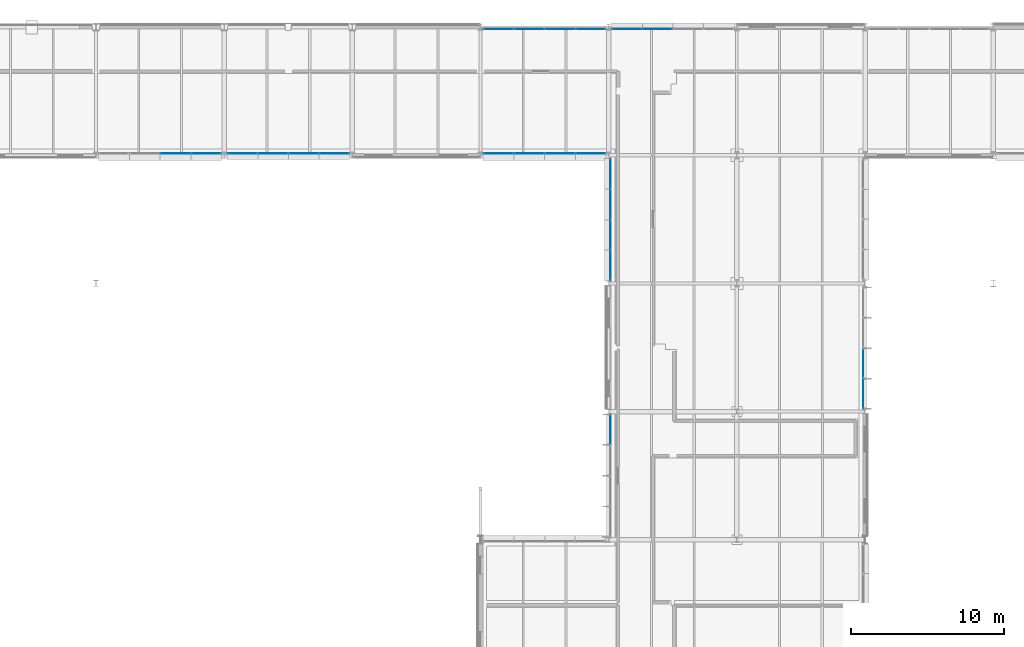
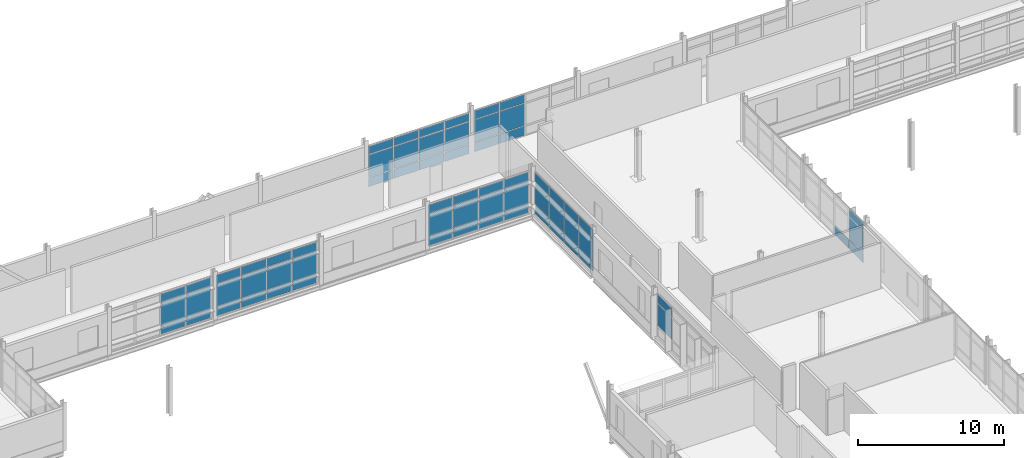
# One storey, part 77 of 103: 66 plates, 8 elements without a shape of their own.
"""IFC4 building model written with IfcOpenShell, lengths in metres."""

from ifc_helpers import new_model, si_unit, direction, frame, origin, origin_2d, place, context, subcontext, project, spatial, rectangle, extrude, material, layer, layer_set, type_object, element, aggregate, save


model = new_model("IFC4")

# Units and contexts
model_context = context("Model", 3, precision=1e-05, world=origin(), true_north=direction((0.0, 1.0)))
body_context = subcontext(model_context, "Body", "Model", "MODEL_VIEW")
ifc_project = project(units=[si_unit("LENGTHUNIT", "METRE"), si_unit("AREAUNIT", "SQUARE_METRE"), si_unit("VOLUMEUNIT", "CUBIC_METRE"), si_unit("PLANEANGLEUNIT", "RADIAN"), si_unit("MASSUNIT", "GRAM", prefix="KILO")], contexts=[model_context])

# Site, building, storey
site_placement = place(None, origin())
site = spatial("IfcSite", under=ifc_project, at=site_placement, CompositionType="ELEMENT")
building_placement = place(site_placement, origin())
building = spatial("IfcBuilding", under=site, at=building_placement, Name="Mersafa Astral City Hall", CompositionType="ELEMENT")
storey_placement = place(building_placement, frame((0.0, 0.0, 18.0)))
storey = spatial("IfcBuildingStorey", under=building, at=storey_placement, Name="L04", CompositionType="ELEMENT", Elevation=18.0)

# Curtain wall, plates
ifc_material_1 = material(Name="Anodised bronze aluminium framing", Category="aluminium")
curtain_wall_type_1 = type_object("IfcCurtainWallType", Name="ENV-CW-5", PredefinedType="USERDEFINED", material=ifc_material_1)
curtain_wall_1_placement = place(storey_placement, origin())
curtain_wall_1 = element("IfcCurtainWall", 1, at=curtain_wall_1_placement, inside=storey, type_object=curtain_wall_type_1, Name="L04 Unitised solar curtain wall 196", ObjectType="UNITISED CURTAIN WALL", PredefinedType="USERDEFINED")
ifc_material_2 = material(Name="Solar control low-e double glazing", Category="glass")
ifc_layer_1 = layer(ifc_material_2, 0.028076171875, Name="Solar control low-e double glazing")
ifc_layer_set_1 = layer_set([ifc_layer_1], Name="Solar control low-e double glazing — ENV-CW-PNL-GLZ-1")
plate_type_1 = type_object("IfcPlateType", Name="ENV-CW-PNL-GLZ-1", PredefinedType="CURTAIN_PANEL", material=ifc_layer_set_1)
plate_1_placement = place(storey_placement, frame((99.613525390625, 125.8798828125, 0.05810546875), z_axis=(0.0, 0.0, 1.0), x_axis=(-1.0, 0.0, 0.0)))
plate_1 = element("IfcPlate", 2, at=plate_1_placement, type_object=plate_type_1, Name="CW-5 panel 1.1", PredefinedType="CURTAIN_PANEL", context=body_context, shape_type="SweptSolid", body=[
    extrude(rectangle(XDim=1.928955078125, YDim=0.028076171875, at=origin_2d()), origin(), (0.0, 0.0, 1.0), 0.761962890625),
])
plate_2_placement = place(storey_placement, frame((99.613525390625, 125.8798828125, 0.8798828125), z_axis=(0.0, 0.0, 1.0), x_axis=(-1.0, 0.0, 0.0)))
plate_2 = element("IfcPlate", 3, at=plate_2_placement, type_object=plate_type_1, Name="CW-5 panel 1.2", PredefinedType="CURTAIN_PANEL", context=body_context, shape_type="SweptSolid", body=[
    extrude(rectangle(XDim=1.928955078125, YDim=0.028076171875, at=origin_2d()), origin(), (0.0, 0.0, 1.0), 1.840087890625),
])
plate_3_placement = place(storey_placement, frame((99.613525390625, 125.8798828125, 2.780029296875), z_axis=(0.0, 0.0, 1.0), x_axis=(-1.0, 0.0, 0.0)))
plate_3 = element("IfcPlate", 4, at=plate_3_placement, type_object=plate_type_1, Name="CW-5 panel 1.3", PredefinedType="CURTAIN_PANEL", context=body_context, shape_type="SweptSolid", body=[
    extrude(rectangle(XDim=1.928955078125, YDim=0.028076171875, at=origin_2d()), origin(), (0.0, 0.0, 1.0), 0.6669921875),
])
plate_4_placement = place(storey_placement, frame((97.609619140625, 125.8798828125, 0.05810546875), z_axis=(0.0, 0.0, 1.0), x_axis=(-1.0, 0.0, 0.0)))
plate_4 = element("IfcPlate", 5, at=plate_4_placement, type_object=plate_type_1, Name="CW-5 panel 2.1", PredefinedType="CURTAIN_PANEL", context=body_context, shape_type="SweptSolid", body=[
    extrude(rectangle(XDim=1.958984375, YDim=0.028076171875, at=origin_2d()), origin(), (0.0, 0.0, 1.0), 0.761962890625),
])
plate_5_placement = place(storey_placement, frame((97.609619140625, 125.8798828125, 0.8798828125), z_axis=(0.0, 0.0, 1.0), x_axis=(-1.0, 0.0, 0.0)))
plate_5 = element("IfcPlate", 6, at=plate_5_placement, type_object=plate_type_1, Name="CW-5 panel 2.2", PredefinedType="CURTAIN_PANEL", context=body_context, shape_type="SweptSolid", body=[
    extrude(rectangle(XDim=1.958984375, YDim=0.028076171875, at=origin_2d()), origin(), (0.0, 0.0, 1.0), 1.840087890625),
])
plate_6_placement = place(storey_placement, frame((97.609619140625, 125.8798828125, 2.780029296875), z_axis=(0.0, 0.0, 1.0), x_axis=(-1.0, 0.0, 0.0)))
plate_6 = element("IfcPlate", 7, at=plate_6_placement, type_object=plate_type_1, Name="CW-5 panel 2.3", PredefinedType="CURTAIN_PANEL", context=body_context, shape_type="SweptSolid", body=[
    extrude(rectangle(XDim=1.958984375, YDim=0.028076171875, at=origin_2d()), origin(), (0.0, 0.0, 1.0), 0.6669921875),
])
plate_7_placement = place(storey_placement, frame((95.590576171875, 125.8798828125, 0.05810546875), z_axis=(0.0, 0.0, 1.0), x_axis=(-1.0, 0.0, 0.0)))
plate_7 = element("IfcPlate", 8, at=plate_7_placement, type_object=plate_type_1, Name="CW-5 panel 3.1", PredefinedType="CURTAIN_PANEL", context=body_context, shape_type="SweptSolid", body=[
    extrude(rectangle(XDim=1.958984375, YDim=0.028076171875, at=origin_2d()), origin(), (0.0, 0.0, 1.0), 0.761962890625),
])
plate_8_placement = place(storey_placement, frame((95.590576171875, 125.8798828125, 0.8798828125), z_axis=(0.0, 0.0, 1.0), x_axis=(-1.0, 0.0, 0.0)))
plate_8 = element("IfcPlate", 9, at=plate_8_placement, type_object=plate_type_1, Name="CW-5 panel 3.2", PredefinedType="CURTAIN_PANEL", context=body_context, shape_type="SweptSolid", body=[
    extrude(rectangle(XDim=1.958984375, YDim=0.028076171875, at=origin_2d()), origin(), (0.0, 0.0, 1.0), 1.840087890625),
])
plate_9_placement = place(storey_placement, frame((95.590576171875, 125.8798828125, 2.780029296875), z_axis=(0.0, 0.0, 1.0), x_axis=(-1.0, 0.0, 0.0)))
plate_9 = element("IfcPlate", 10, at=plate_9_placement, type_object=plate_type_1, Name="CW-5 panel 3.3", PredefinedType="CURTAIN_PANEL", context=body_context, shape_type="SweptSolid", body=[
    extrude(rectangle(XDim=1.958984375, YDim=0.028076171875, at=origin_2d()), origin(), (0.0, 0.0, 1.0), 0.6669921875),
])
plate_10_placement = place(storey_placement, frame((93.58642578125, 125.8798828125, 0.05810546875), z_axis=(0.0, 0.0, 1.0), x_axis=(-1.0, 0.0, 0.0)))
plate_10 = element("IfcPlate", 11, at=plate_10_placement, type_object=plate_type_1, Name="CW-5 panel 4.1", PredefinedType="CURTAIN_PANEL", context=body_context, shape_type="SweptSolid", body=[
    extrude(rectangle(XDim=1.928955078125, YDim=0.028076171875, at=origin_2d()), origin(), (0.0, 0.0, 1.0), 0.761962890625),
])
plate_11_placement = place(storey_placement, frame((93.58642578125, 125.8798828125, 0.8798828125), z_axis=(0.0, 0.0, 1.0), x_axis=(-1.0, 0.0, 0.0)))
plate_11 = element("IfcPlate", 12, at=plate_11_placement, type_object=plate_type_1, Name="CW-5 panel 4.2", PredefinedType="CURTAIN_PANEL", context=body_context, shape_type="SweptSolid", body=[
    extrude(rectangle(XDim=1.928955078125, YDim=0.028076171875, at=origin_2d()), origin(), (0.0, 0.0, 1.0), 1.840087890625),
])
plate_12_placement = place(storey_placement, frame((93.58642578125, 125.8798828125, 2.780029296875), z_axis=(0.0, 0.0, 1.0), x_axis=(-1.0, 0.0, 0.0)))
plate_12 = element("IfcPlate", 13, at=plate_12_placement, type_object=plate_type_1, Name="CW-5 panel 4.3", PredefinedType="CURTAIN_PANEL", context=body_context, shape_type="SweptSolid", body=[
    extrude(rectangle(XDim=1.928955078125, YDim=0.028076171875, at=origin_2d()), origin(), (0.0, 0.0, 1.0), 0.6669921875),
])
aggregate(curtain_wall_1, [plate_1, plate_2, plate_3, plate_4, plate_5, plate_6, plate_7, plate_8, plate_9, plate_10, plate_11, plate_12])

curtain_wall_type_2 = type_object("IfcCurtainWallType", Name="ENV-CW-1", PredefinedType="USERDEFINED", material=ifc_material_1)
curtain_wall_2_placement = place(storey_placement, origin())
curtain_wall_2 = element("IfcCurtainWall", 14, at=curtain_wall_2_placement, inside=storey, type_object=curtain_wall_type_2, Name="L04 Unitised solar curtain wall 204", ObjectType="UNITISED CURTAIN WALL", PredefinedType="USERDEFINED")
plate_13_placement = place(storey_placement, frame((72.409423828125, 117.719970703125, 0.05810546875), z_axis=(0.0, 0.0, 1.0), x_axis=(1.0, 0.0, 0.0)))
plate_13 = element("IfcPlate", 15, at=plate_13_placement, type_object=plate_type_1, Name="CW-1 panel 3.1", PredefinedType="CURTAIN_PANEL", context=body_context, shape_type="SweptSolid", body=[
    extrude(rectangle(XDim=1.958984375, YDim=0.028076171875, at=origin_2d()), origin(), (0.0, 0.0, 1.0), 0.761962890625),
])
plate_14_placement = place(storey_placement, frame((72.409423828125, 117.719970703125, 0.8798828125), z_axis=(0.0, 0.0, 1.0), x_axis=(1.0, 0.0, 0.0)))
plate_14 = element("IfcPlate", 16, at=plate_14_placement, type_object=plate_type_1, Name="CW-1 panel 3.2", PredefinedType="CURTAIN_PANEL", context=body_context, shape_type="SweptSolid", body=[
    extrude(rectangle(XDim=1.958984375, YDim=0.028076171875, at=origin_2d()), origin(), (0.0, 0.0, 1.0), 1.840087890625),
])
plate_15_placement = place(storey_placement, frame((72.409423828125, 117.719970703125, 2.780029296875), z_axis=(0.0, 0.0, 1.0), x_axis=(1.0, 0.0, 0.0)))
plate_15 = element("IfcPlate", 17, at=plate_15_placement, type_object=plate_type_1, Name="CW-1 panel 3.3", PredefinedType="CURTAIN_PANEL", context=body_context, shape_type="SweptSolid", body=[
    extrude(rectangle(XDim=1.958984375, YDim=0.028076171875, at=origin_2d()), origin(), (0.0, 0.0, 1.0), 0.6669921875),
])
plate_16_placement = place(storey_placement, frame((74.41357421875, 117.719970703125, 0.05810546875), z_axis=(0.0, 0.0, 1.0), x_axis=(1.0, 0.0, 0.0)))
plate_16 = element("IfcPlate", 18, at=plate_16_placement, type_object=plate_type_1, Name="CW-1 panel 4.1", PredefinedType="CURTAIN_PANEL", context=body_context, shape_type="SweptSolid", body=[
    extrude(rectangle(XDim=1.928955078125, YDim=0.028076171875, at=origin_2d()), origin(), (0.0, 0.0, 1.0), 0.761962890625),
])
plate_17_placement = place(storey_placement, frame((74.41357421875, 117.719970703125, 0.8798828125), z_axis=(0.0, 0.0, 1.0), x_axis=(1.0, 0.0, 0.0)))
plate_17 = element("IfcPlate", 19, at=plate_17_placement, type_object=plate_type_1, Name="CW-1 panel 4.2", PredefinedType="CURTAIN_PANEL", context=body_context, shape_type="SweptSolid", body=[
    extrude(rectangle(XDim=1.928955078125, YDim=0.028076171875, at=origin_2d()), origin(), (0.0, 0.0, 1.0), 1.840087890625),
])
plate_18_placement = place(storey_placement, frame((74.41357421875, 117.719970703125, 2.780029296875), z_axis=(0.0, 0.0, 1.0), x_axis=(1.0, 0.0, 0.0)))
plate_18 = element("IfcPlate", 20, at=plate_18_placement, type_object=plate_type_1, Name="CW-1 panel 4.3", PredefinedType="CURTAIN_PANEL", context=body_context, shape_type="SweptSolid", body=[
    extrude(rectangle(XDim=1.928955078125, YDim=0.028076171875, at=origin_2d()), origin(), (0.0, 0.0, 1.0), 0.6669921875),
])
aggregate(curtain_wall_2, [plate_13, plate_14, plate_15, plate_16, plate_17, plate_18])

curtain_wall_3_placement = place(storey_placement, origin())
curtain_wall_3 = element("IfcCurtainWall", 21, at=curtain_wall_3_placement, inside=storey, type_object=curtain_wall_type_1, Name="L04 Unitised solar curtain wall 208", ObjectType="UNITISED CURTAIN WALL", PredefinedType="USERDEFINED")
plate_19_placement = place(storey_placement, frame((100.919921875, 99.613525390625, 0.8798828125), z_axis=(0.0, 0.0, 1.0), x_axis=(0.0, -1.0, 0.0)))
plate_19 = element("IfcPlate", 22, at=plate_19_placement, type_object=plate_type_1, Name="CW-5 panel 1.2", PredefinedType="CURTAIN_PANEL", context=body_context, shape_type="SweptSolid", body=[
    extrude(rectangle(XDim=1.928955078125, YDim=0.028076171875, at=origin_2d()), origin(), (0.0, 0.0, 1.0), 1.840087890625),
])
plate_20_placement = place(storey_placement, frame((100.919921875, 99.613525390625, 2.77978515625), z_axis=(0.0, 0.0, 1.0), x_axis=(0.0, -1.0, 0.0)))
plate_20 = element("IfcPlate", 23, at=plate_20_placement, type_object=plate_type_1, Name="CW-5 panel 1.3", PredefinedType="CURTAIN_PANEL", context=body_context, shape_type="SweptSolid", body=[
    extrude(rectangle(XDim=1.928955078125, YDim=0.028076171875, at=origin_2d()), origin(), (0.0, 0.0, 1.0), 0.737060546875),
])
aggregate(curtain_wall_3, [plate_19, plate_20])

curtain_wall_4_placement = place(storey_placement, origin())
curtain_wall_4 = element("IfcCurtainWall", 24, at=curtain_wall_4_placement, inside=storey, type_object=curtain_wall_type_2, Name="L04 Unitised solar curtain wall 216", ObjectType="UNITISED CURTAIN WALL", PredefinedType="USERDEFINED")
plate_21_placement = place(storey_placement, frame((117.47998046875, 101.97705078125, 0.05810546875), z_axis=(0.0, 0.0, 1.0), x_axis=(0.0, 1.0, 0.0)))
plate_21 = element("IfcPlate", 25, at=plate_21_placement, type_object=plate_type_1, Name="CW-1 panel 1.1", PredefinedType="CURTAIN_PANEL", context=body_context, shape_type="SweptSolid", body=[
    extrude(rectangle(XDim=1.91015625, YDim=0.028076171875, at=origin_2d()), origin(), (0.0, 0.0, 1.0), 0.761962890625),
])
plate_22_placement = place(storey_placement, frame((117.47998046875, 101.97705078125, 0.8798828125), z_axis=(0.0, 0.0, 1.0), x_axis=(0.0, 1.0, 0.0)))
plate_22 = element("IfcPlate", 26, at=plate_22_placement, type_object=plate_type_1, Name="CW-1 panel 1.2", PredefinedType="CURTAIN_PANEL", context=body_context, shape_type="SweptSolid", body=[
    extrude(rectangle(XDim=1.91015625, YDim=0.028076171875, at=origin_2d()), origin(), (0.0, 0.0, 1.0), 1.840087890625),
])
plate_23_placement = place(storey_placement, frame((117.47998046875, 101.97705078125, 2.780029296875), z_axis=(0.0, 0.0, 1.0), x_axis=(0.0, 1.0, 0.0)))
plate_23 = element("IfcPlate", 27, at=plate_23_placement, type_object=plate_type_1, Name="CW-1 panel 1.3", PredefinedType="CURTAIN_PANEL", context=body_context, shape_type="SweptSolid", body=[
    extrude(rectangle(XDim=1.91015625, YDim=0.028076171875, at=origin_2d()), origin(), (0.0, 0.0, 1.0), 0.64697265625),
])
plate_24_placement = place(storey_placement, frame((117.47998046875, 103.96240234375, 0.05810546875), z_axis=(0.0, 0.0, 1.0), x_axis=(0.0, 1.0, 0.0)))
plate_24 = element("IfcPlate", 28, at=plate_24_placement, type_object=plate_type_1, Name="CW-1 panel 2.1", PredefinedType="CURTAIN_PANEL", context=body_context, shape_type="SweptSolid", body=[
    extrude(rectangle(XDim=1.940185546875, YDim=0.028076171875, at=origin_2d()), origin(), (0.0, 0.0, 1.0), 0.761962890625),
])
aggregate(curtain_wall_4, [plate_21, plate_22, plate_23, plate_24])

curtain_wall_type_3 = type_object("IfcCurtainWallType", Name="ENV-CW-2", PredefinedType="USERDEFINED", material=ifc_material_1)
curtain_wall_5_placement = place(storey_placement, origin())
curtain_wall_5 = element("IfcCurtainWall", 29, at=curtain_wall_5_placement, inside=storey, type_object=curtain_wall_type_3, Name="L04 Unitised solar curtain wall 205", ObjectType="UNITISED CURTAIN WALL", PredefinedType="USERDEFINED")
ifc_layer_2 = layer(ifc_material_2, 0.031982421875, Name="Solar control low-e double glazing")
ifc_layer_set_2 = layer_set([ifc_layer_2], Name="Solar control low-e double glazing — ENV-CW-PNL-GLZ-2")
plate_type_2 = type_object("IfcPlateType", Name="ENV-CW-PNL-GLZ-2", PredefinedType="CURTAIN_PANEL", material=ifc_layer_set_2)
plate_25_placement = place(storey_placement, frame((76.78662109375, 117.719970703125, 0.05810546875), z_axis=(0.0, 0.0, 1.0), x_axis=(1.0, 0.0, 0.0)))
plate_25 = element("IfcPlate", 30, at=plate_25_placement, type_object=plate_type_2, Name="CW-2 panel 1.1", PredefinedType="CURTAIN_PANEL", context=body_context, shape_type="SweptSolid", body=[
    extrude(rectangle(XDim=1.928955078125, YDim=0.031982421875, at=origin_2d()), origin(), (0.0, 0.0, 1.0), 0.761962890625),
])
plate_26_placement = place(storey_placement, frame((76.78662109375, 117.719970703125, 0.8798828125), z_axis=(0.0, 0.0, 1.0), x_axis=(1.0, 0.0, 0.0)))
plate_26 = element("IfcPlate", 31, at=plate_26_placement, type_object=plate_type_2, Name="CW-2 panel 1.2", PredefinedType="CURTAIN_PANEL", context=body_context, shape_type="SweptSolid", body=[
    extrude(rectangle(XDim=1.928955078125, YDim=0.031982421875, at=origin_2d()), origin(), (0.0, 0.0, 1.0), 1.840087890625),
])
plate_27_placement = place(storey_placement, frame((76.78662109375, 117.719970703125, 2.77978515625), z_axis=(0.0, 0.0, 1.0), x_axis=(1.0, 0.0, 0.0)))
plate_27 = element("IfcPlate", 32, at=plate_27_placement, type_object=plate_type_2, Name="CW-2 panel 1.3", PredefinedType="CURTAIN_PANEL", context=body_context, shape_type="SweptSolid", body=[
    extrude(rectangle(XDim=1.928955078125, YDim=0.031982421875, at=origin_2d()), origin(), (0.0, 0.0, 1.0), 0.697021484375),
])
plate_28_placement = place(storey_placement, frame((78.79052734375, 117.719970703125, 0.05810546875), z_axis=(0.0, 0.0, 1.0), x_axis=(1.0, 0.0, 0.0)))
plate_28 = element("IfcPlate", 33, at=plate_28_placement, type_object=plate_type_2, Name="CW-2 panel 2.1", PredefinedType="CURTAIN_PANEL", context=body_context, shape_type="SweptSolid", body=[
    extrude(rectangle(XDim=1.958984375, YDim=0.031982421875, at=origin_2d()), origin(), (0.0, 0.0, 1.0), 0.761962890625),
])
plate_29_placement = place(storey_placement, frame((78.79052734375, 117.719970703125, 0.8798828125), z_axis=(0.0, 0.0, 1.0), x_axis=(1.0, 0.0, 0.0)))
plate_29 = element("IfcPlate", 34, at=plate_29_placement, type_object=plate_type_2, Name="CW-2 panel 2.2", PredefinedType="CURTAIN_PANEL", context=body_context, shape_type="SweptSolid", body=[
    extrude(rectangle(XDim=1.958984375, YDim=0.031982421875, at=origin_2d()), origin(), (0.0, 0.0, 1.0), 1.840087890625),
])
plate_30_placement = place(storey_placement, frame((78.79052734375, 117.719970703125, 2.77978515625), z_axis=(0.0, 0.0, 1.0), x_axis=(1.0, 0.0, 0.0)))
plate_30 = element("IfcPlate", 35, at=plate_30_placement, type_object=plate_type_2, Name="CW-2 panel 2.3", PredefinedType="CURTAIN_PANEL", context=body_context, shape_type="SweptSolid", body=[
    extrude(rectangle(XDim=1.958984375, YDim=0.031982421875, at=origin_2d()), origin(), (0.0, 0.0, 1.0), 0.697021484375),
])
plate_31_placement = place(storey_placement, frame((80.8095703125, 117.719970703125, 0.05810546875), z_axis=(0.0, 0.0, 1.0), x_axis=(1.0, 0.0, 0.0)))
plate_31 = element("IfcPlate", 36, at=plate_31_placement, type_object=plate_type_2, Name="CW-2 panel 3.1", PredefinedType="CURTAIN_PANEL", context=body_context, shape_type="SweptSolid", body=[
    extrude(rectangle(XDim=1.958984375, YDim=0.031982421875, at=origin_2d()), origin(), (0.0, 0.0, 1.0), 0.761962890625),
])
plate_32_placement = place(storey_placement, frame((80.8095703125, 117.719970703125, 0.8798828125), z_axis=(0.0, 0.0, 1.0), x_axis=(1.0, 0.0, 0.0)))
plate_32 = element("IfcPlate", 37, at=plate_32_placement, type_object=plate_type_2, Name="CW-2 panel 3.2", PredefinedType="CURTAIN_PANEL", context=body_context, shape_type="SweptSolid", body=[
    extrude(rectangle(XDim=1.958984375, YDim=0.031982421875, at=origin_2d()), origin(), (0.0, 0.0, 1.0), 1.840087890625),
])
plate_33_placement = place(storey_placement, frame((80.8095703125, 117.719970703125, 2.77978515625), z_axis=(0.0, 0.0, 1.0), x_axis=(1.0, 0.0, 0.0)))
plate_33 = element("IfcPlate", 38, at=plate_33_placement, type_object=plate_type_2, Name="CW-2 panel 3.3", PredefinedType="CURTAIN_PANEL", context=body_context, shape_type="SweptSolid", body=[
    extrude(rectangle(XDim=1.958984375, YDim=0.031982421875, at=origin_2d()), origin(), (0.0, 0.0, 1.0), 0.697021484375),
])
plate_34_placement = place(storey_placement, frame((82.8134765625, 117.719970703125, 0.05810546875), z_axis=(0.0, 0.0, 1.0), x_axis=(1.0, 0.0, 0.0)))
plate_34 = element("IfcPlate", 39, at=plate_34_placement, type_object=plate_type_2, Name="CW-2 panel 4.1", PredefinedType="CURTAIN_PANEL", context=body_context, shape_type="SweptSolid", body=[
    extrude(rectangle(XDim=1.928955078125, YDim=0.031982421875, at=origin_2d()), origin(), (0.0, 0.0, 1.0), 0.761962890625),
])
plate_35_placement = place(storey_placement, frame((82.8134765625, 117.719970703125, 0.8798828125), z_axis=(0.0, 0.0, 1.0), x_axis=(1.0, 0.0, 0.0)))
plate_35 = element("IfcPlate", 40, at=plate_35_placement, type_object=plate_type_2, Name="CW-2 panel 4.2", PredefinedType="CURTAIN_PANEL", context=body_context, shape_type="SweptSolid", body=[
    extrude(rectangle(XDim=1.928955078125, YDim=0.031982421875, at=origin_2d()), origin(), (0.0, 0.0, 1.0), 1.840087890625),
])
plate_36_placement = place(storey_placement, frame((82.8134765625, 117.719970703125, 2.77978515625), z_axis=(0.0, 0.0, 1.0), x_axis=(1.0, 0.0, 0.0)))
plate_36 = element("IfcPlate", 41, at=plate_36_placement, type_object=plate_type_2, Name="CW-2 panel 4.3", PredefinedType="CURTAIN_PANEL", context=body_context, shape_type="SweptSolid", body=[
    extrude(rectangle(XDim=1.928955078125, YDim=0.031982421875, at=origin_2d()), origin(), (0.0, 0.0, 1.0), 0.697021484375),
])
aggregate(curtain_wall_5, [plate_25, plate_26, plate_27, plate_28, plate_29, plate_30, plate_31, plate_32, plate_33, plate_34, plate_35, plate_36])

curtain_wall_type_4 = type_object("IfcCurtainWallType", Name="ENV-CW-3", PredefinedType="USERDEFINED", material=ifc_material_1)
curtain_wall_6_placement = place(storey_placement, origin())
curtain_wall_6 = element("IfcCurtainWall", 42, at=curtain_wall_6_placement, inside=storey, type_object=curtain_wall_type_4, Name="L04 Unitised solar curtain wall 206", ObjectType="UNITISED CURTAIN WALL", PredefinedType="USERDEFINED")
ifc_layer_3 = layer(ifc_material_2, 0.035888671875, Name="Solar control low-e double glazing")
ifc_layer_set_3 = layer_set([ifc_layer_3], Name="Solar control low-e double glazing — ENV-CW-PNL-GLZ-3")
plate_type_3 = type_object("IfcPlateType", Name="ENV-CW-PNL-GLZ-3", PredefinedType="CURTAIN_PANEL", material=ifc_layer_set_3)
plate_37_placement = place(storey_placement, frame((93.58642578125, 117.719970703125, 0.05810546875), z_axis=(0.0, 0.0, 1.0), x_axis=(1.0, 0.0, 0.0)))
plate_37 = element("IfcPlate", 43, at=plate_37_placement, type_object=plate_type_3, Name="CW-3 panel 1.1", PredefinedType="CURTAIN_PANEL", context=body_context, shape_type="SweptSolid", body=[
    extrude(rectangle(XDim=1.928955078125, YDim=0.035888671875, at=origin_2d()), origin(), (0.0, 0.0, 1.0), 0.761962890625),
])
plate_38_placement = place(storey_placement, frame((93.58642578125, 117.719970703125, 0.8798828125), z_axis=(0.0, 0.0, 1.0), x_axis=(1.0, 0.0, 0.0)))
plate_38 = element("IfcPlate", 44, at=plate_38_placement, type_object=plate_type_3, Name="CW-3 panel 1.2", PredefinedType="CURTAIN_PANEL", context=body_context, shape_type="SweptSolid", body=[
    extrude(rectangle(XDim=1.928955078125, YDim=0.035888671875, at=origin_2d()), origin(), (0.0, 0.0, 1.0), 1.840087890625),
])
plate_39_placement = place(storey_placement, frame((93.58642578125, 117.719970703125, 2.77978515625), z_axis=(0.0, 0.0, 1.0), x_axis=(1.0, 0.0, 0.0)))
plate_39 = element("IfcPlate", 45, at=plate_39_placement, type_object=plate_type_3, Name="CW-3 panel 1.3", PredefinedType="CURTAIN_PANEL", context=body_context, shape_type="SweptSolid", body=[
    extrude(rectangle(XDim=1.928955078125, YDim=0.035888671875, at=origin_2d()), origin(), (0.0, 0.0, 1.0), 0.697021484375),
])
plate_40_placement = place(storey_placement, frame((95.590576171875, 117.719970703125, 0.05810546875), z_axis=(0.0, 0.0, 1.0), x_axis=(1.0, 0.0, 0.0)))
plate_40 = element("IfcPlate", 46, at=plate_40_placement, type_object=plate_type_3, Name="CW-3 panel 2.1", PredefinedType="CURTAIN_PANEL", context=body_context, shape_type="SweptSolid", body=[
    extrude(rectangle(XDim=1.958984375, YDim=0.035888671875, at=origin_2d()), origin(), (0.0, 0.0, 1.0), 0.761962890625),
])
plate_41_placement = place(storey_placement, frame((95.590576171875, 117.719970703125, 0.8798828125), z_axis=(0.0, 0.0, 1.0), x_axis=(1.0, 0.0, 0.0)))
plate_41 = element("IfcPlate", 47, at=plate_41_placement, type_object=plate_type_3, Name="CW-3 panel 2.2", PredefinedType="CURTAIN_PANEL", context=body_context, shape_type="SweptSolid", body=[
    extrude(rectangle(XDim=1.958984375, YDim=0.035888671875, at=origin_2d()), origin(), (0.0, 0.0, 1.0), 1.840087890625),
])
plate_42_placement = place(storey_placement, frame((95.590576171875, 117.719970703125, 2.77978515625), z_axis=(0.0, 0.0, 1.0), x_axis=(1.0, 0.0, 0.0)))
plate_42 = element("IfcPlate", 48, at=plate_42_placement, type_object=plate_type_3, Name="CW-3 panel 2.3", PredefinedType="CURTAIN_PANEL", context=body_context, shape_type="SweptSolid", body=[
    extrude(rectangle(XDim=1.958984375, YDim=0.035888671875, at=origin_2d()), origin(), (0.0, 0.0, 1.0), 0.697021484375),
])
plate_43_placement = place(storey_placement, frame((97.609619140625, 117.719970703125, 0.05810546875), z_axis=(0.0, 0.0, 1.0), x_axis=(1.0, 0.0, 0.0)))
plate_43 = element("IfcPlate", 49, at=plate_43_placement, type_object=plate_type_3, Name="CW-3 panel 3.1", PredefinedType="CURTAIN_PANEL", context=body_context, shape_type="SweptSolid", body=[
    extrude(rectangle(XDim=1.958984375, YDim=0.035888671875, at=origin_2d()), origin(), (0.0, 0.0, 1.0), 0.761962890625),
])
plate_44_placement = place(storey_placement, frame((97.609619140625, 117.719970703125, 0.8798828125), z_axis=(0.0, 0.0, 1.0), x_axis=(1.0, 0.0, 0.0)))
plate_44 = element("IfcPlate", 50, at=plate_44_placement, type_object=plate_type_3, Name="CW-3 panel 3.2", PredefinedType="CURTAIN_PANEL", context=body_context, shape_type="SweptSolid", body=[
    extrude(rectangle(XDim=1.958984375, YDim=0.035888671875, at=origin_2d()), origin(), (0.0, 0.0, 1.0), 1.840087890625),
])
plate_45_placement = place(storey_placement, frame((97.609619140625, 117.719970703125, 2.77978515625), z_axis=(0.0, 0.0, 1.0), x_axis=(1.0, 0.0, 0.0)))
plate_45 = element("IfcPlate", 51, at=plate_45_placement, type_object=plate_type_3, Name="CW-3 panel 3.3", PredefinedType="CURTAIN_PANEL", context=body_context, shape_type="SweptSolid", body=[
    extrude(rectangle(XDim=1.958984375, YDim=0.035888671875, at=origin_2d()), origin(), (0.0, 0.0, 1.0), 0.697021484375),
])
plate_46_placement = place(storey_placement, frame((99.613525390625, 117.719970703125, 0.05810546875), z_axis=(0.0, 0.0, 1.0), x_axis=(1.0, 0.0, 0.0)))
plate_46 = element("IfcPlate", 52, at=plate_46_placement, type_object=plate_type_3, Name="CW-3 panel 4.1", PredefinedType="CURTAIN_PANEL", context=body_context, shape_type="SweptSolid", body=[
    extrude(rectangle(XDim=1.928955078125, YDim=0.035888671875, at=origin_2d()), origin(), (0.0, 0.0, 1.0), 0.761962890625),
])
plate_47_placement = place(storey_placement, frame((99.613525390625, 117.719970703125, 0.8798828125), z_axis=(0.0, 0.0, 1.0), x_axis=(1.0, 0.0, 0.0)))
plate_47 = element("IfcPlate", 53, at=plate_47_placement, type_object=plate_type_3, Name="CW-3 panel 4.2", PredefinedType="CURTAIN_PANEL", context=body_context, shape_type="SweptSolid", body=[
    extrude(rectangle(XDim=1.928955078125, YDim=0.035888671875, at=origin_2d()), origin(), (0.0, 0.0, 1.0), 1.840087890625),
])
plate_48_placement = place(storey_placement, frame((99.613525390625, 117.719970703125, 2.77978515625), z_axis=(0.0, 0.0, 1.0), x_axis=(1.0, 0.0, 0.0)))
plate_48 = element("IfcPlate", 54, at=plate_48_placement, type_object=plate_type_3, Name="CW-3 panel 4.3", PredefinedType="CURTAIN_PANEL", context=body_context, shape_type="SweptSolid", body=[
    extrude(rectangle(XDim=1.928955078125, YDim=0.035888671875, at=origin_2d()), origin(), (0.0, 0.0, 1.0), 0.697021484375),
])
aggregate(curtain_wall_6, [plate_37, plate_38, plate_39, plate_40, plate_41, plate_42, plate_43, plate_44, plate_45, plate_46, plate_47, plate_48])

curtain_wall_type_5 = type_object("IfcCurtainWallType", Name="ENV-CW-4", PredefinedType="USERDEFINED", material=ifc_material_1)
curtain_wall_7_placement = place(storey_placement, origin())
curtain_wall_7 = element("IfcCurtainWall", 55, at=curtain_wall_7_placement, inside=storey, type_object=curtain_wall_type_5, Name="L04 Unitised solar curtain wall 195", ObjectType="UNITISED CURTAIN WALL", PredefinedType="USERDEFINED")
ifc_layer_4 = layer(ifc_material_2, 0.0400390625, Name="Solar control low-e double glazing")
ifc_layer_set_4 = layer_set([ifc_layer_4], Name="Solar control low-e double glazing — ENV-CW-PNL-GLZ-4")
plate_type_4 = type_object("IfcPlateType", Name="ENV-CW-PNL-GLZ-4", PredefinedType="CURTAIN_PANEL", material=ifc_layer_set_4)
plate_49_placement = place(storey_placement, frame((103.990478515625, 125.8798828125, 0.05810546875), z_axis=(0.0, 0.0, 1.0), x_axis=(-1.0, 0.0, 0.0)))
plate_49 = element("IfcPlate", 56, at=plate_49_placement, type_object=plate_type_4, Name="CW-4 panel 3.1", PredefinedType="CURTAIN_PANEL", context=body_context, shape_type="SweptSolid", body=[
    extrude(rectangle(XDim=1.958984375, YDim=0.0400390625, at=origin_2d()), origin(), (0.0, 0.0, 1.0), 0.761962890625),
])
plate_50_placement = place(storey_placement, frame((103.990478515625, 125.8798828125, 0.8798828125), z_axis=(0.0, 0.0, 1.0), x_axis=(-1.0, 0.0, 0.0)))
plate_50 = element("IfcPlate", 57, at=plate_50_placement, type_object=plate_type_4, Name="CW-4 panel 3.2", PredefinedType="CURTAIN_PANEL", context=body_context, shape_type="SweptSolid", body=[
    extrude(rectangle(XDim=1.958984375, YDim=0.0400390625, at=origin_2d()), origin(), (0.0, 0.0, 1.0), 1.840087890625),
])
plate_51_placement = place(storey_placement, frame((103.990478515625, 125.8798828125, 2.77978515625), z_axis=(0.0, 0.0, 1.0), x_axis=(-1.0, 0.0, 0.0)))
plate_51 = element("IfcPlate", 58, at=plate_51_placement, type_object=plate_type_4, Name="CW-4 panel 3.3", PredefinedType="CURTAIN_PANEL", context=body_context, shape_type="SweptSolid", body=[
    extrude(rectangle(XDim=1.958984375, YDim=0.0400390625, at=origin_2d()), origin(), (0.0, 0.0, 1.0), 0.697021484375),
])
plate_52_placement = place(storey_placement, frame((101.986572265625, 125.8798828125, 0.05810546875), z_axis=(0.0, 0.0, 1.0), x_axis=(-1.0, 0.0, 0.0)))
plate_52 = element("IfcPlate", 59, at=plate_52_placement, type_object=plate_type_4, Name="CW-4 panel 4.1", PredefinedType="CURTAIN_PANEL", context=body_context, shape_type="SweptSolid", body=[
    extrude(rectangle(XDim=1.928955078125, YDim=0.0400390625, at=origin_2d()), origin(), (0.0, 0.0, 1.0), 0.761962890625),
])
plate_53_placement = place(storey_placement, frame((101.986572265625, 125.8798828125, 0.8798828125), z_axis=(0.0, 0.0, 1.0), x_axis=(-1.0, 0.0, 0.0)))
plate_53 = element("IfcPlate", 60, at=plate_53_placement, type_object=plate_type_4, Name="CW-4 panel 4.2", PredefinedType="CURTAIN_PANEL", context=body_context, shape_type="SweptSolid", body=[
    extrude(rectangle(XDim=1.928955078125, YDim=0.0400390625, at=origin_2d()), origin(), (0.0, 0.0, 1.0), 1.840087890625),
])
plate_54_placement = place(storey_placement, frame((101.986572265625, 125.8798828125, 2.77978515625), z_axis=(0.0, 0.0, 1.0), x_axis=(-1.0, 0.0, 0.0)))
plate_54 = element("IfcPlate", 61, at=plate_54_placement, type_object=plate_type_4, Name="CW-4 panel 4.3", PredefinedType="CURTAIN_PANEL", context=body_context, shape_type="SweptSolid", body=[
    extrude(rectangle(XDim=1.928955078125, YDim=0.0400390625, at=origin_2d()), origin(), (0.0, 0.0, 1.0), 0.697021484375),
])
aggregate(curtain_wall_7, [plate_49, plate_50, plate_51, plate_52, plate_53, plate_54])

curtain_wall_8_placement = place(storey_placement, origin())
curtain_wall_8 = element("IfcCurtainWall", 62, at=curtain_wall_8_placement, inside=storey, type_object=curtain_wall_type_5, Name="L04 Unitised solar curtain wall 207", ObjectType="UNITISED CURTAIN WALL", PredefinedType="USERDEFINED")
plate_55_placement = place(storey_placement, frame((100.919921875, 116.36962890625, 0.05810546875), z_axis=(0.0, 0.0, 1.0), x_axis=(0.0, -1.0, 0.0)))
plate_55 = element("IfcPlate", 63, at=plate_55_placement, type_object=plate_type_4, Name="CW-4 panel 1.1", PredefinedType="CURTAIN_PANEL", context=body_context, shape_type="SweptSolid", body=[
    extrude(rectangle(XDim=1.91650390625, YDim=0.0400390625, at=origin_2d()), origin(), (0.0, 0.0, 1.0), 0.761962890625),
])
plate_56_placement = place(storey_placement, frame((100.919921875, 116.36962890625, 0.8798828125), z_axis=(0.0, 0.0, 1.0), x_axis=(0.0, -1.0, 0.0)))
plate_56 = element("IfcPlate", 64, at=plate_56_placement, type_object=plate_type_4, Name="CW-4 panel 1.2", PredefinedType="CURTAIN_PANEL", context=body_context, shape_type="SweptSolid", body=[
    extrude(rectangle(XDim=1.91650390625, YDim=0.0400390625, at=origin_2d()), origin(), (0.0, 0.0, 1.0), 1.840087890625),
])
plate_57_placement = place(storey_placement, frame((100.919921875, 116.36962890625, 2.77978515625), z_axis=(0.0, 0.0, 1.0), x_axis=(0.0, -1.0, 0.0)))
plate_57 = element("IfcPlate", 65, at=plate_57_placement, type_object=plate_type_4, Name="CW-4 panel 1.3", PredefinedType="CURTAIN_PANEL", context=body_context, shape_type="SweptSolid", body=[
    extrude(rectangle(XDim=1.91650390625, YDim=0.0400390625, at=origin_2d()), origin(), (0.0, 0.0, 1.0), 0.737060546875),
])
plate_58_placement = place(storey_placement, frame((100.919921875, 114.378173828125, 0.05810546875), z_axis=(0.0, 0.0, 1.0), x_axis=(0.0, -1.0, 0.0)))
plate_58 = element("IfcPlate", 66, at=plate_58_placement, type_object=plate_type_4, Name="CW-4 panel 2.1", PredefinedType="CURTAIN_PANEL", context=body_context, shape_type="SweptSolid", body=[
    extrude(rectangle(XDim=1.946533203125, YDim=0.0400390625, at=origin_2d()), origin(), (0.0, 0.0, 1.0), 0.761962890625),
])
plate_59_placement = place(storey_placement, frame((100.919921875, 114.378173828125, 0.8798828125), z_axis=(0.0, 0.0, 1.0), x_axis=(0.0, -1.0, 0.0)))
plate_59 = element("IfcPlate", 67, at=plate_59_placement, type_object=plate_type_4, Name="CW-4 panel 2.2", PredefinedType="CURTAIN_PANEL", context=body_context, shape_type="SweptSolid", body=[
    extrude(rectangle(XDim=1.946533203125, YDim=0.0400390625, at=origin_2d()), origin(), (0.0, 0.0, 1.0), 1.840087890625),
])
plate_60_placement = place(storey_placement, frame((100.919921875, 114.378173828125, 2.77978515625), z_axis=(0.0, 0.0, 1.0), x_axis=(0.0, -1.0, 0.0)))
plate_60 = element("IfcPlate", 68, at=plate_60_placement, type_object=plate_type_4, Name="CW-4 panel 2.3", PredefinedType="CURTAIN_PANEL", context=body_context, shape_type="SweptSolid", body=[
    extrude(rectangle(XDim=1.946533203125, YDim=0.0400390625, at=origin_2d()), origin(), (0.0, 0.0, 1.0), 0.737060546875),
])
plate_61_placement = place(storey_placement, frame((100.919921875, 112.371826171875, 0.05810546875), z_axis=(0.0, 0.0, 1.0), x_axis=(0.0, -1.0, 0.0)))
plate_61 = element("IfcPlate", 69, at=plate_61_placement, type_object=plate_type_4, Name="CW-4 panel 3.1", PredefinedType="CURTAIN_PANEL", context=body_context, shape_type="SweptSolid", body=[
    extrude(rectangle(XDim=1.946533203125, YDim=0.0400390625, at=origin_2d()), origin(), (0.0, 0.0, 1.0), 0.761962890625),
])
plate_62_placement = place(storey_placement, frame((100.919921875, 112.371826171875, 0.8798828125), z_axis=(0.0, 0.0, 1.0), x_axis=(0.0, -1.0, 0.0)))
plate_62 = element("IfcPlate", 70, at=plate_62_placement, type_object=plate_type_4, Name="CW-4 panel 3.2", PredefinedType="CURTAIN_PANEL", context=body_context, shape_type="SweptSolid", body=[
    extrude(rectangle(XDim=1.946533203125, YDim=0.0400390625, at=origin_2d()), origin(), (0.0, 0.0, 1.0), 1.840087890625),
])
plate_63_placement = place(storey_placement, frame((100.919921875, 112.371826171875, 2.77978515625), z_axis=(0.0, 0.0, 1.0), x_axis=(0.0, -1.0, 0.0)))
plate_63 = element("IfcPlate", 71, at=plate_63_placement, type_object=plate_type_4, Name="CW-4 panel 3.3", PredefinedType="CURTAIN_PANEL", context=body_context, shape_type="SweptSolid", body=[
    extrude(rectangle(XDim=1.946533203125, YDim=0.0400390625, at=origin_2d()), origin(), (0.0, 0.0, 1.0), 0.737060546875),
])
plate_64_placement = place(storey_placement, frame((100.919921875, 110.38037109375, 0.05810546875), z_axis=(0.0, 0.0, 1.0), x_axis=(0.0, -1.0, 0.0)))
plate_64 = element("IfcPlate", 72, at=plate_64_placement, type_object=plate_type_4, Name="CW-4 panel 4.1", PredefinedType="CURTAIN_PANEL", context=body_context, shape_type="SweptSolid", body=[
    extrude(rectangle(XDim=1.91650390625, YDim=0.0400390625, at=origin_2d()), origin(), (0.0, 0.0, 1.0), 0.761962890625),
])
plate_65_placement = place(storey_placement, frame((100.919921875, 110.38037109375, 0.8798828125), z_axis=(0.0, 0.0, 1.0), x_axis=(0.0, -1.0, 0.0)))
plate_65 = element("IfcPlate", 73, at=plate_65_placement, type_object=plate_type_4, Name="CW-4 panel 4.2", PredefinedType="CURTAIN_PANEL", context=body_context, shape_type="SweptSolid", body=[
    extrude(rectangle(XDim=1.91650390625, YDim=0.0400390625, at=origin_2d()), origin(), (0.0, 0.0, 1.0), 1.840087890625),
])
plate_66_placement = place(storey_placement, frame((100.919921875, 110.38037109375, 2.77978515625), z_axis=(0.0, 0.0, 1.0), x_axis=(0.0, -1.0, 0.0)))
plate_66 = element("IfcPlate", 74, at=plate_66_placement, type_object=plate_type_4, Name="CW-4 panel 4.3", PredefinedType="CURTAIN_PANEL", context=body_context, shape_type="SweptSolid", body=[
    extrude(rectangle(XDim=1.91650390625, YDim=0.0400390625, at=origin_2d()), origin(), (0.0, 0.0, 1.0), 0.737060546875),
])
aggregate(curtain_wall_8, [plate_55, plate_56, plate_57, plate_58, plate_59, plate_60, plate_61, plate_62, plate_63, plate_64, plate_65, plate_66])

save(model, "model.ifc")
